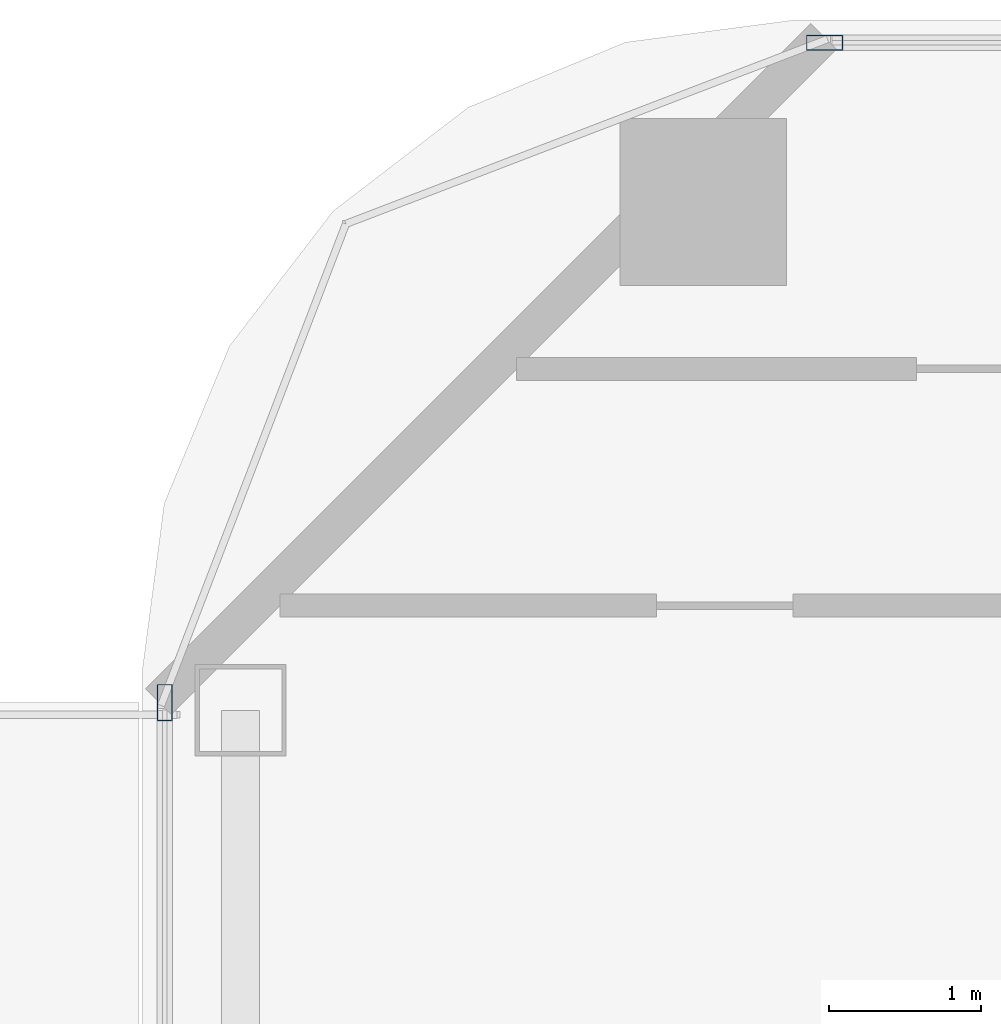
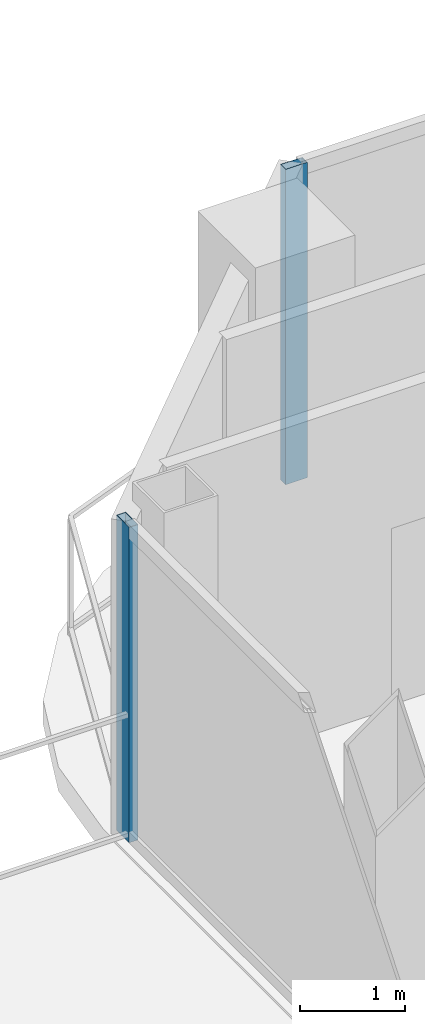
# One storey, part 14 of 26: 2 members, 2 elements without a shape of their own.
"""IFC4 building model written with IfcOpenShell, lengths in metres."""

import ifcopenshell
import ifcopenshell.guid

model = None  # the IFC model being written
_history = None  # IfcOwnerHistory: only IFC2X3 demands one
_inside = {}  # id of a spatial element -> (the spatial element, [elements in it])
_under = {}  # id of a project, library or spatial element -> (it, [spatial elements below it])
_declared = {}  # id of a project -> (the project, [libraries it declares])
_typed = {}  # id of a type object -> (the type object, [elements of that type])
_made_of = {}  # id of a material, layer set ... -> (it, [elements and type objects made of it])


def new_model(schema):
    """Start an empty IFC model of exactly this schema.

    Asked for "IFC4X3", IfcOpenShell would pick the latest addendum, in which some entities
    have other attributes; the version numbers below select the first issue.
    IFC2X3 requires an IfcOwnerHistory on every rooted entity: one is made here for all.
    """
    global model, _history
    if schema == "IFC4X3":
        model = ifcopenshell.file(schema_version=(4, 3, 0, 0))
    else:
        model = ifcopenshell.file(schema=schema)
    _inside.clear()
    _under.clear()
    _declared.clear()
    _typed.clear()
    _made_of.clear()
    _history = None
    if model.schema == "IFC2X3":
        org = make("IfcOrganization", Name="unknown")
        user = make(
            "IfcPersonAndOrganization",
            ThePerson=make("IfcPerson", FamilyName="unknown"),
            TheOrganization=org,
        )
        app = make(
            "IfcApplication",
            ApplicationDeveloper=org,
            Version="unknown",
            ApplicationFullName="unknown",
            ApplicationIdentifier="unknown",
        )
        _history = make(
            "IfcOwnerHistory",
            OwningUser=user,
            OwningApplication=app,
            ChangeAction="ADDED",
            CreationDate=0,
        )
    return model


def make(cls, **values):
    """One entity of the class cls with the attributes given. An attribute that is None is left unset."""
    return model.create_entity(
        cls, **{name: value for name, value in values.items() if value is not None}
    )


def rooted(cls, **values):
    """An entity with a GlobalId (a new one), such as an element, a storey or a relation."""
    return make(cls, GlobalId=ifcopenshell.guid.new(), OwnerHistory=_history, **values)


def si_unit(unit_type, name, prefix=None):
    """IfcSIUnit, for example si_unit("LENGTHUNIT", "METRE", prefix="MILLI")."""
    return make("IfcSIUnit", UnitType=unit_type, Prefix=prefix, Name=name)


def assignment(units):
    """IfcUnitAssignment: the units of a project."""
    return None if units is None else make("IfcUnitAssignment", Units=units)


def point(xyz):
    """IfcCartesianPoint."""
    return None if xyz is None else make("IfcCartesianPoint", Coordinates=xyz)


def direction(xyz):
    """IfcDirection."""
    return None if xyz is None else make("IfcDirection", DirectionRatios=xyz)


def frame(location, z_axis=None, x_axis=None):
    """IfcAxis2Placement3D, a coordinate frame: its origin and axes. An axis left out is left unset."""
    return make(
        "IfcAxis2Placement3D",
        Location=point(location),
        Axis=direction(z_axis),
        RefDirection=direction(x_axis),
    )


def frame_2d(location, x_axis=None):
    """IfcAxis2Placement2D, a coordinate frame in the plane: its origin and x axis."""
    return make(
        "IfcAxis2Placement2D", Location=point(location), RefDirection=direction(x_axis)
    )


def origin():
    """The frame at (0, 0, 0) with its axes left unset."""
    return frame((0.0, 0.0, 0.0))


def origin_2d():
    """The frame at (0, 0) in the plane with its x axis left unset."""
    return frame_2d((0.0, 0.0))


def place(relative_to, where):
    """IfcLocalPlacement: puts the frame where relative to a parent placement (None: the world)."""
    return make(
        "IfcLocalPlacement", PlacementRelTo=relative_to, RelativePlacement=where
    )


def context(
    kind, dimensions, precision=None, world=None, true_north=None, identifier=None
):
    """IfcGeometricRepresentationContext, for example the 3D "Model" context."""
    return make(
        "IfcGeometricRepresentationContext",
        ContextIdentifier=identifier,
        ContextType=kind,
        CoordinateSpaceDimension=dimensions,
        Precision=precision,
        WorldCoordinateSystem=world,
        TrueNorth=true_north,
    )


def subcontext(parent, identifier, kind, view, scale=None):
    """IfcGeometricRepresentationSubContext, for example "Body" below "Model"."""
    return make(
        "IfcGeometricRepresentationSubContext",
        ContextIdentifier=identifier,
        ContextType=kind,
        ParentContext=parent,
        TargetScale=scale,
        TargetView=view,
    )


def project(units=None, contexts=None):
    """IfcProject with its units and contexts."""
    return rooted(
        "IfcProject",
        Name="project",
        RepresentationContexts=contexts,
        UnitsInContext=assignment(units),
    )


def spatial(cls, under=None, at=None, **own):
    """A site, building, storey or space (cls), placed at a placement, below another one or the project."""
    s = rooted(cls, ObjectPlacement=at, **own)
    if under is not None:
        _under.setdefault(under.id(), (under, []))[1].append(s)
    return s


def profile(cls, at=None, kind="AREA", **sizes):
    """A parametric profile (cls). Its sizes go by their IFC names, for example OverallWidth=200.0."""
    return make(cls, ProfileType=kind, Position=at, **sizes)


def hollow_rectangle(**sizes):
    """IfcRectangleHollowProfileDef."""
    return profile("IfcRectangleHollowProfileDef", **sizes)


def extrude(swept, where, along, depth):
    """IfcExtrudedAreaSolid: the profile swept, set in the frame where, extruded along a direction by depth."""
    return make(
        "IfcExtrudedAreaSolid",
        SweptArea=swept,
        Position=where,
        ExtrudedDirection=direction(along),
        Depth=depth,
    )


def shape(context_of_items, identifier, shape_type, items):
    """IfcShapeRepresentation: the items that make up one representation, for example the "Body"."""
    return make(
        "IfcShapeRepresentation",
        ContextOfItems=context_of_items,
        RepresentationIdentifier=identifier,
        RepresentationType=shape_type,
        Items=items,
    )


def material(Name=None, Category=None):
    """IfcMaterial."""
    return make("IfcMaterial", Name=Name, Category=Category)


def layer(
    of_material, thickness, ventilated=None, Name=None, Category=None, Priority=None
):
    """IfcMaterialLayer: one layer of a wall or slab, of a material (None: an air gap)."""
    return make(
        "IfcMaterialLayer",
        Material=of_material,
        LayerThickness=thickness,
        IsVentilated=ventilated,
        Name=Name,
        Category=Category,
        Priority=Priority,
    )


def layer_set(layers, Name=None):
    """IfcMaterialLayerSet."""
    return make("IfcMaterialLayerSet", MaterialLayers=layers, LayerSetName=Name)


def material_profile(
    of_material, cross_section, Name=None, Category=None, Priority=None
):
    """IfcMaterialProfile: a cross section and its material."""
    return make(
        "IfcMaterialProfile",
        Name=Name,
        Material=of_material,
        Profile=cross_section,
        Priority=Priority,
        Category=Category,
    )


def profile_set(profiles, Name=None, composite=None):
    """IfcMaterialProfileSet."""
    return make(
        "IfcMaterialProfileSet",
        Name=Name,
        MaterialProfiles=profiles,
        CompositeProfile=composite,
    )


def made_of(thing, what):
    """Note that an element or type object is made of a material, layer set ...; save() writes the relation."""
    if what is not None:
        _made_of.setdefault(what.id(), (what, []))[1].append(thing)
    return thing


def type_object(cls, material=None, **own):
    """A type object (cls), such as IfcWallType, which elements share."""
    return made_of(rooted(cls, **own), material)


def element(
    cls,
    number,
    at=None,
    inside=None,
    cuts=None,
    type_object=None,
    material=None,
    context=None,
    identifier="Body",
    shape_type=None,
    held_by="IfcProductDefinitionShape",
    body=None,
    shapes=None,
    **own,
):
    """One element of the class cls, such as IfcWall. Its Tag is "e" and its number.

    at: its placement. inside: the storey or other place that contains it. cuts: it is an
    opening in that element (IfcRelVoidsElement). A single representation is given by context,
    identifier, shape_type and body (its items); several are given by shapes. held_by: the class
    of the entity that holds the representations. save() writes the other relations.
    """
    e = rooted(cls, Tag="e%d" % number, ObjectPlacement=at, **own)
    if body is not None:
        shapes = [shape(context, identifier, shape_type, body)]
    if shapes is not None:
        e.Representation = make(held_by, Representations=shapes)
    if inside is not None:
        _inside.setdefault(inside.id(), (inside, []))[1].append(e)
    if cuts is not None:
        rooted(
            "IfcRelVoidsElement", RelatingBuildingElement=cuts, RelatedOpeningElement=e
        )
    if type_object is not None:
        _typed.setdefault(type_object.id(), (type_object, []))[1].append(e)
    return made_of(e, material)


def aggregate(whole, parts):
    """IfcRelAggregates: a whole, such as a stair, and the parts it consists of."""
    return rooted("IfcRelAggregates", RelatingObject=whole, RelatedObjects=parts)


def save(model, path):
    """Write the relations noted so far, then the file.

    IfcRelAggregates (storeys below a building ...), IfcRelContainedInSpatialStructure (elements
    in a storey), IfcRelDefinesByType, IfcRelAssociatesMaterial and IfcRelDeclares: one each for
    every whole, place, type object, material and project.
    """
    for whole, parts in _under.values():
        aggregate(whole, parts)
    for where, things in _inside.values():
        rooted(
            "IfcRelContainedInSpatialStructure",
            RelatedElements=things,
            RelatingStructure=where,
        )
    for kind, things in _typed.values():
        rooted("IfcRelDefinesByType", RelatedObjects=things, RelatingType=kind)
    for what, things in _made_of.values():
        rooted("IfcRelAssociatesMaterial", RelatedObjects=things, RelatingMaterial=what)
    for by, libraries in _declared.values():
        rooted("IfcRelDeclares", RelatingContext=by, RelatedDefinitions=libraries)
    model.write(path)


model = new_model("IFC4")

# Units and contexts
model_context = context("Model", 3, precision=1e-05, world=origin(), true_north=direction((0.0, 1.0)))
body_context = subcontext(model_context, "Body", "Model", "MODEL_VIEW")
ifc_project = project(units=[si_unit("LENGTHUNIT", "METRE"), si_unit("AREAUNIT", "SQUARE_METRE"), si_unit("VOLUMEUNIT", "CUBIC_METRE"), si_unit("PLANEANGLEUNIT", "RADIAN"), si_unit("MASSUNIT", "GRAM", prefix="KILO")], contexts=[model_context])

# Site, building, storey
site_placement = place(None, origin())
site = spatial("IfcSite", under=ifc_project, at=site_placement, CompositionType="ELEMENT")
building_placement = place(site_placement, origin())
building = spatial("IfcBuilding", under=site, at=building_placement, Name="Khorvyn Point Tower", CompositionType="ELEMENT")
storey_placement = place(building_placement, frame((0.0, 0.0, 219.60009765625)))
storey = spatial("IfcBuildingStorey", under=building, at=storey_placement, Name="L54", CompositionType="ELEMENT", Elevation=219.60009765625)

# Curtain wall, member
ifc_material_1 = material(Name="Anodised aluminium 6063-T6 and laminated Low-E glass", Category="aluminium")
ifc_layer = layer(ifc_material_1, 0.18994140625)
ifc_layer_set = layer_set([ifc_layer], Name="Stick-Built Acoustic Curtain Wall CW-SYS-03")
curtain_wall_type = type_object("IfcCurtainWallType", Name="Stick-Built Acoustic Curtain Wall CW-SYS-03", PredefinedType="NOTDEFINED", material=ifc_layer_set)
curtain_wall_1_placement = place(storey_placement, origin())
curtain_wall_1 = element("IfcCurtainWall", 1, at=curtain_wall_1_placement, inside=storey, type_object=curtain_wall_type, Name="Curtain Wall", PredefinedType="NOTDEFINED")
ifc_material_2 = material(Name="Anodised aluminium 6063-T6", Category="aluminium")
ifc_material_profile = material_profile(ifc_material_2, hollow_rectangle(XDim=0.10009765625, YDim=0.239990234375, WallThickness=0.0048828125, at=origin_2d()))
ifc_profile_set = profile_set([ifc_material_profile], Name="Anodised aluminium 6063-T6 ALU-MUL-100x240")
member_type = type_object("IfcMemberType", Name="Anodised Aluminium 6063-T6 Mullion ALU-MUL-100x240", PredefinedType="MULLION", material=ifc_profile_set)
member_1_placement = place(storey_placement, frame((-14.0, 15.85009765625, 0.0), z_axis=(0.0, 0.0, 1.0), x_axis=(0.0, 1.0, 0.0)))
member_1 = element("IfcMember", 2, at=member_1_placement, type_object=member_type, Name="Transom", PredefinedType="MULLION", context=body_context, shape_type="SweptSolid", body=[
    extrude(hollow_rectangle(XDim=0.10009765625, YDim=0.239990234375, WallThickness=0.0048828125, at=origin_2d()), origin(), (0.0, 0.0, 1.0), 3.679931640625),
])
aggregate(curtain_wall_1, [member_1])

curtain_wall_2_placement = place(storey_placement, origin())
curtain_wall_2 = element("IfcCurtainWall", 3, at=curtain_wall_2_placement, inside=storey, type_object=curtain_wall_type, Name="Curtain Wall", PredefinedType="NOTDEFINED")
member_2_placement = place(storey_placement, frame((-18.35009765625, 11.5, 0.0), z_axis=(0.0, 0.0, 1.0), x_axis=(-1.0, 0.0, 0.0)))
member_2 = element("IfcMember", 4, at=member_2_placement, type_object=member_type, Name="Transom", PredefinedType="MULLION", context=body_context, shape_type="SweptSolid", body=[
    extrude(hollow_rectangle(XDim=0.10009765625, YDim=0.239990234375, WallThickness=0.0048828125, at=origin_2d()), origin(), (0.0, 0.0, 1.0), 3.679931640625),
])
aggregate(curtain_wall_2, [member_2])

save(model, "model.ifc")
